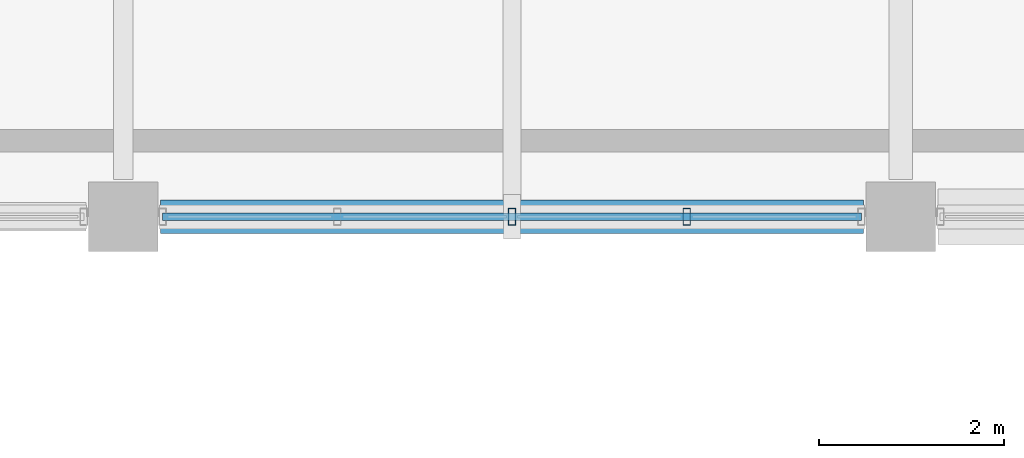
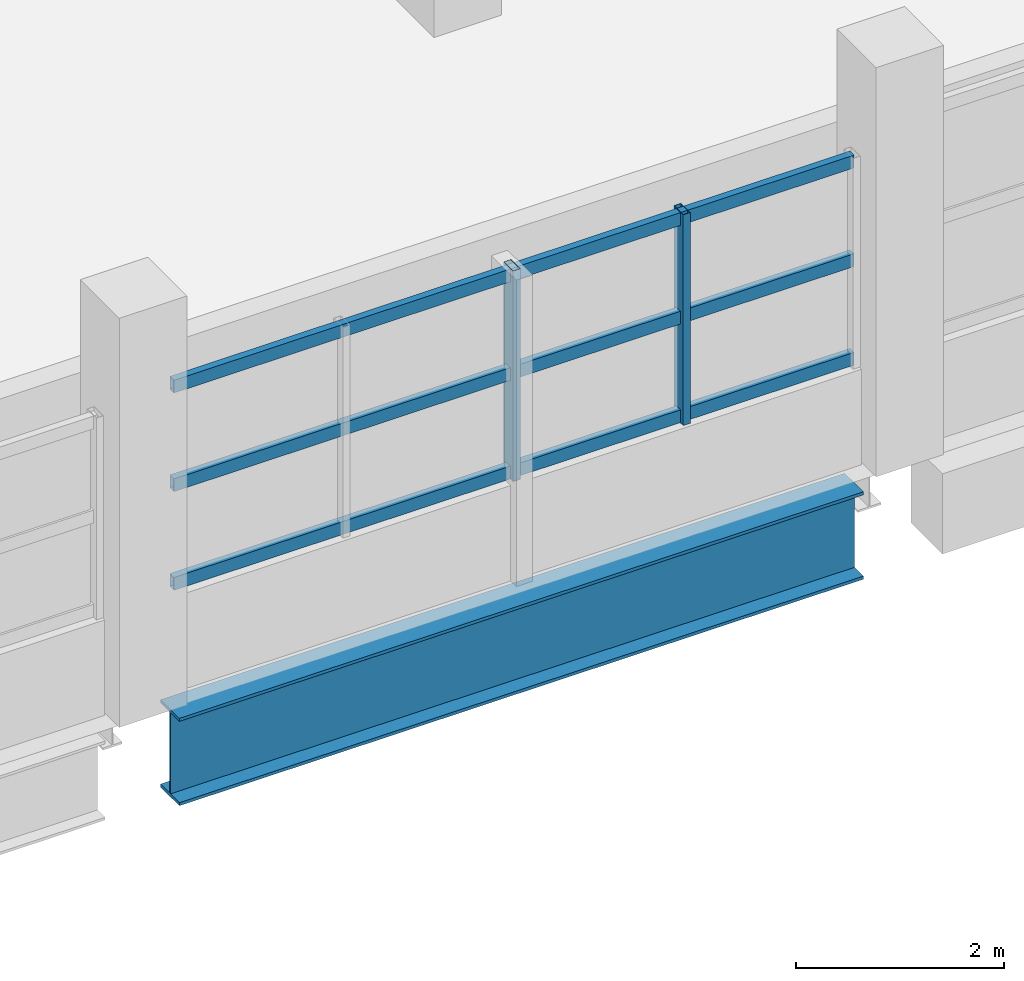
# One storey, part 41 of 117: 5 members, 1 beam, 1 element without a shape of its own.
"""IFC4 building model written with IfcOpenShell, lengths in metres."""

from ifc_helpers import new_model, si_unit, direction, frame, origin, origin_2d, place, context, subcontext, project, spatial, hollow_rectangle, i_section, extrude, material, material_profile, profile_set, type_object, element, aggregate, save


model = new_model("IFC4")

# Units and contexts
model_context = context("Model", 3, precision=1e-05, world=origin(), true_north=direction((0.0, 1.0)))
body_context = subcontext(model_context, "Body", "Model", "MODEL_VIEW")
ifc_project = project(units=[si_unit("LENGTHUNIT", "METRE"), si_unit("AREAUNIT", "SQUARE_METRE"), si_unit("VOLUMEUNIT", "CUBIC_METRE"), si_unit("PLANEANGLEUNIT", "RADIAN"), si_unit("MASSUNIT", "GRAM", prefix="KILO")], contexts=[model_context])

# Site, building, storey
site_placement = place(None, origin())
site = spatial("IfcSite", under=ifc_project, at=site_placement, CompositionType="ELEMENT")
building_placement = place(site_placement, origin())
building = spatial("IfcBuilding", under=site, at=building_placement, Name="Solvento Point Concert Hall", CompositionType="ELEMENT")
storey_placement = place(building_placement, frame((0.0, 0.0, 5.39990234375)))
storey = spatial("IfcBuildingStorey", under=building, at=storey_placement, Name="L01", CompositionType="ELEMENT", Elevation=5.39990234375)

# Beam
ifc_material_1 = material(Name="Structural Steel ASTM A992 Grade 50", Category="steel")
ifc_material_profile_1 = material_profile(ifc_material_1, i_section(OverallWidth=0.361083984375, OverallDepth=1.02587890625, WebThickness=0.01904296875, FlangeThickness=0.0361328125, at=origin_2d()), Name="W40X249")
ifc_profile_set_1 = profile_set([ifc_material_profile_1], Name="Structural Steel ASTM A992 Grade 50")
beam_type = type_object("IfcBeamType", Name="Girder_W40X249", PredefinedType="USERDEFINED", material=ifc_profile_set_1)
beam_placement = place(storey_placement, frame((41.2041015625, 119.0, -0.796875), z_axis=(1.0, 0.0, 0.0), x_axis=(0.0, 1.0, 0.0)))
element("IfcBeam", 1, at=beam_placement, inside=storey, type_object=beam_type, Name="Primary girder B-29 L01", ObjectType="GIRDER", PredefinedType="USERDEFINED", context=body_context, shape_type="SweptSolid", body=[
    extrude(i_section(OverallWidth=0.361083984375, OverallDepth=1.02587890625, WebThickness=0.01904296875, FlangeThickness=0.0361328125, at=origin_2d()), origin(), (0.0, 0.0, 1.0), 7.591796875),
])

# Curtain wall, members
ifc_material_2 = material(Name="Anodized Bronze Aluminium", Category="aluminium")
curtain_wall_type = type_object("IfcCurtainWallType", Name="CurtainWall_CourtPilotis", PredefinedType="USERDEFINED", material=ifc_material_2)
curtain_wall_placement = place(storey_placement, origin())
curtain_wall = element("IfcCurtainWall", 2, at=curtain_wall_placement, inside=storey, type_object=curtain_wall_type, Name="Unitised curtain wall CW-96 UCW-L01-136", ObjectType="UNITISED CURTAIN WALL", PredefinedType="USERDEFINED")
ifc_material_3 = material(Name="Anodized Bronze Aluminium", Category="aluminium")
ifc_material_profile_2 = material_profile(ifc_material_3, hollow_rectangle(XDim=0.080078125, YDim=0.179931640625, WallThickness=0.00390625, at=origin_2d()), Name="CW-MUL-80X180")
ifc_profile_set_2 = profile_set([ifc_material_profile_2], Name="Anodized Bronze Aluminium")
member_type_1 = type_object("IfcMemberType", Name="Mullion_80x180", PredefinedType="MULLION", material=ifc_profile_set_2)
member_1_placement = place(storey_placement, frame((45.0, 119.0, 1.1201171875), z_axis=(0.0, 0.0, 1.0), x_axis=(1.0, 0.0, 0.0)))
member_1 = element("IfcMember", 3, at=member_1_placement, type_object=member_type_1, Name="Curtain wall mullion ML-01", PredefinedType="MULLION", context=body_context, shape_type="SweptSolid", body=[
    extrude(hollow_rectangle(XDim=0.080078125, YDim=0.179931640625, WallThickness=0.00390625, at=origin_2d()), origin(), (0.0, 0.0, 1.0), 2.473876953125),
])
member_2_placement = place(storey_placement, frame((46.887451171875, 119.0, 1.1201171875), z_axis=(0.0, 0.0, 1.0), x_axis=(1.0, 0.0, 0.0)))
member_2 = element("IfcMember", 4, at=member_2_placement, type_object=member_type_1, Name="Curtain wall mullion ML-01", PredefinedType="MULLION", context=body_context, shape_type="SweptSolid", body=[
    extrude(hollow_rectangle(XDim=0.080078125, YDim=0.179931640625, WallThickness=0.00390625, at=origin_2d()), origin(), (0.0, 0.0, 1.0), 2.473876953125),
])
ifc_material_4 = material(Name="Anodized Bronze Aluminium", Category="aluminium")
ifc_material_profile_3 = material_profile(ifc_material_4, hollow_rectangle(XDim=0.080078125, YDim=0.14990234375, WallThickness=0.00390625, at=origin_2d()), Name="CW-TRN-80X150")
ifc_profile_set_3 = profile_set([ifc_material_profile_3], Name="Anodized Bronze Aluminium")
member_type_2 = type_object("IfcMemberType", Name="Transom_80x150", PredefinedType="USERDEFINED", material=ifc_profile_set_3)
member_3_placement = place(storey_placement, frame((41.22509765625, 119.0, 1.2001953125), z_axis=(1.0, 0.0, 0.0), x_axis=(0.0, 1.0, 0.0)))
member_3 = element("IfcMember", 5, at=member_3_placement, type_object=member_type_2, Name="Curtain wall transom TR-01", ObjectType="TRANSOM", PredefinedType="USERDEFINED", context=body_context, shape_type="SweptSolid", body=[
    extrude(hollow_rectangle(XDim=0.080078125, YDim=0.14990234375, WallThickness=0.00390625, at=origin_2d()), origin(), (0.0, 0.0, 1.0), 7.5498046875),
])
member_4_placement = place(storey_placement, frame((41.22509765625, 119.0, 2.357177734375), z_axis=(1.0, 0.0, 0.0), x_axis=(0.0, 1.0, 0.0)))
member_4 = element("IfcMember", 6, at=member_4_placement, type_object=member_type_2, Name="Curtain wall transom TR-01", ObjectType="TRANSOM", PredefinedType="USERDEFINED", context=body_context, shape_type="SweptSolid", body=[
    extrude(hollow_rectangle(XDim=0.080078125, YDim=0.14990234375, WallThickness=0.00390625, at=origin_2d()), origin(), (0.0, 0.0, 1.0), 7.5498046875),
])
member_5_placement = place(storey_placement, frame((41.22509765625, 119.0, 3.51416015625), z_axis=(1.0, 0.0, 0.0), x_axis=(0.0, 1.0, 0.0)))
member_5 = element("IfcMember", 7, at=member_5_placement, type_object=member_type_2, Name="Curtain wall transom TR-01", ObjectType="TRANSOM", PredefinedType="USERDEFINED", context=body_context, shape_type="SweptSolid", body=[
    extrude(hollow_rectangle(XDim=0.080078125, YDim=0.14990234375, WallThickness=0.00390625, at=origin_2d()), origin(), (0.0, 0.0, 1.0), 7.5498046875),
])
aggregate(curtain_wall, [member_1, member_2, member_3, member_4, member_5])

save(model, "model.ifc")
